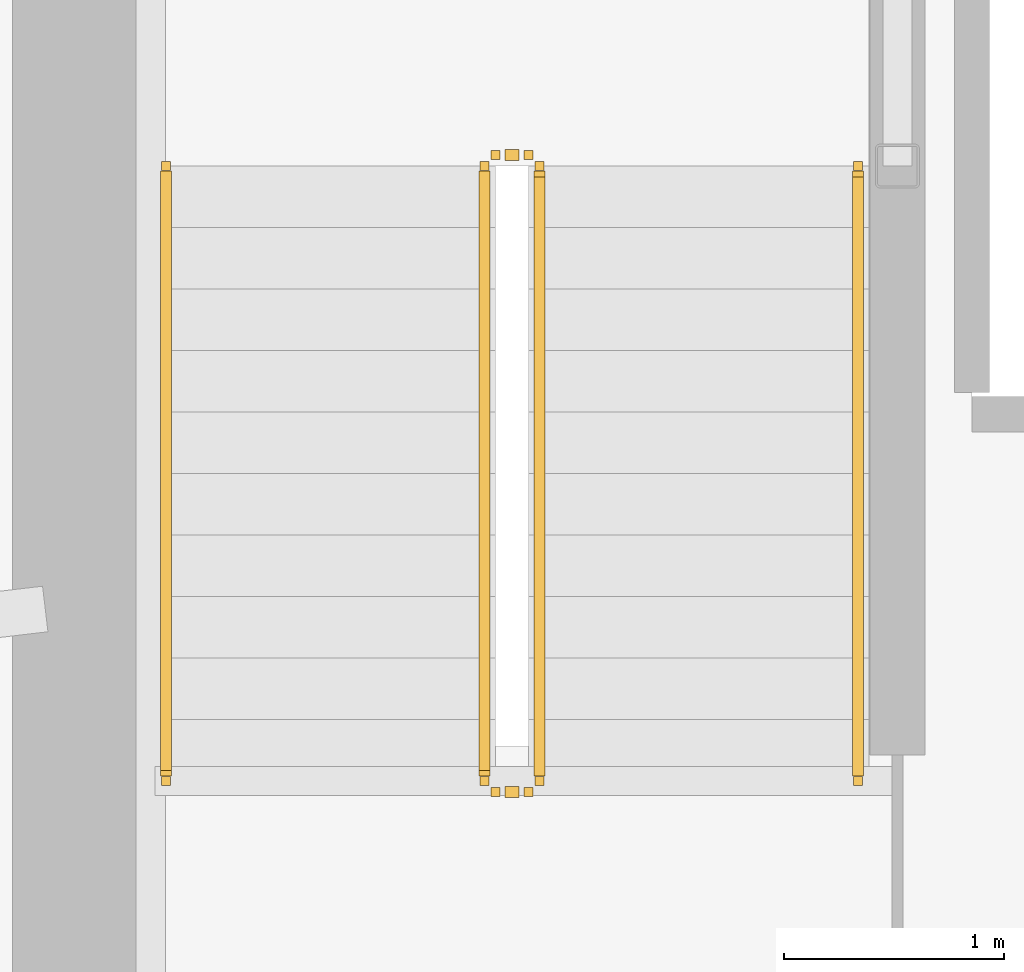
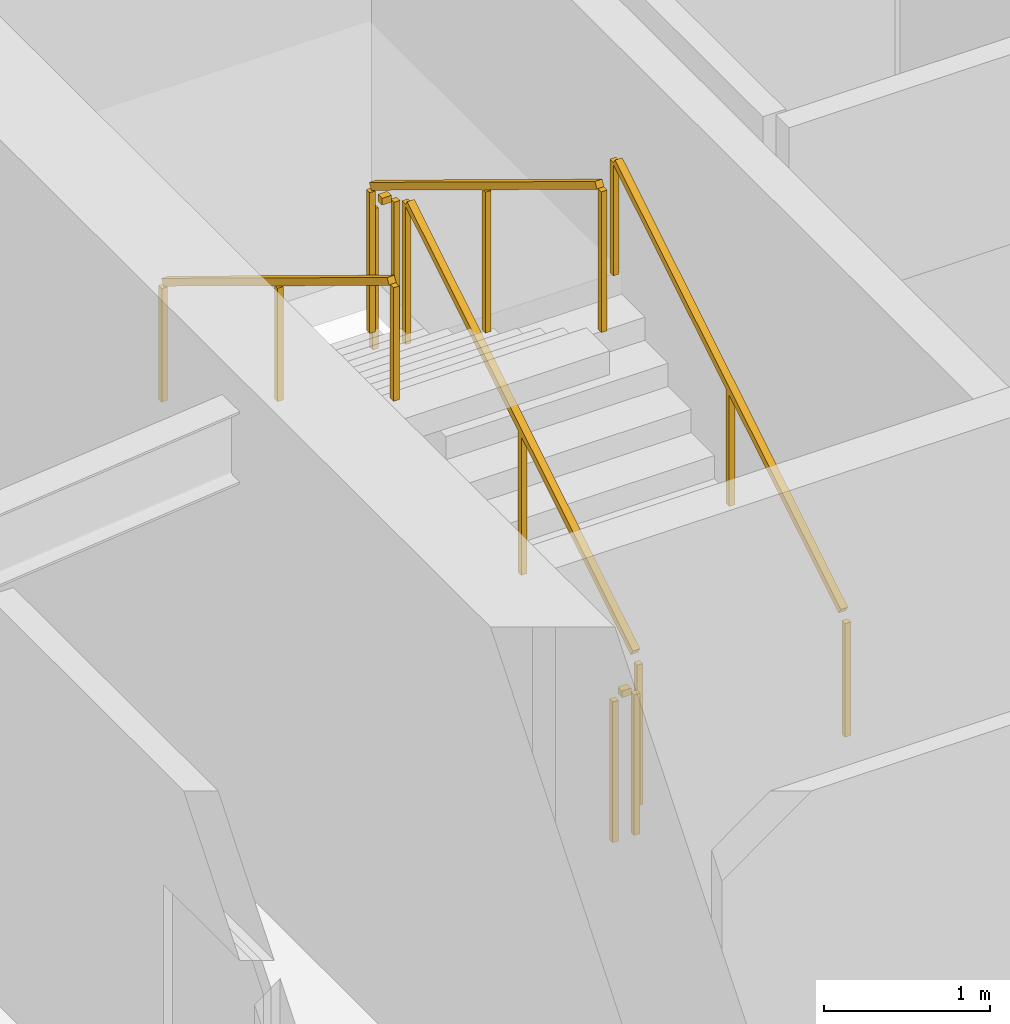
# One storey, part 17 of 20: 6 railings.
"""IFC4 building model written with IfcOpenShell, lengths in metres."""

from ifc_helpers import new_model, si_unit, direction, frame, origin, origin_2d, place, context, subcontext, project, spatial, rectangle, extrude, material, type_object, element, save


model = new_model("IFC4")

# Units and contexts
model_context = context("Model", 3, precision=1e-05, world=origin(), true_north=direction((0.0, 1.0)))
body_context = subcontext(model_context, "Body", "Model", "MODEL_VIEW")
ifc_project = project(units=[si_unit("LENGTHUNIT", "METRE"), si_unit("AREAUNIT", "SQUARE_METRE"), si_unit("VOLUMEUNIT", "CUBIC_METRE"), si_unit("PLANEANGLEUNIT", "RADIAN"), si_unit("MASSUNIT", "GRAM", prefix="KILO")], contexts=[model_context])

# Site, building, storey
site_placement = place(None, origin())
site = spatial("IfcSite", under=ifc_project, at=site_placement, CompositionType="ELEMENT")
building_placement = place(site_placement, origin())
building = spatial("IfcBuilding", under=site, at=building_placement, Name="Kazma Halo Residences", CompositionType="ELEMENT")
storey_placement = place(building_placement, frame((0.0, 0.0, 206.550048828125)))
storey = spatial("IfcBuildingStorey", under=building, at=storey_placement, Name="L52", CompositionType="ELEMENT", Elevation=206.550048828125)

# Railings
ifc_material_1 = material(Name="Painted Steel S355", Category="steel")
railing_type_1 = type_object("IfcRailingType", Name="RLG-STAIR-GRD-1100", PredefinedType="GUARDRAIL", material=ifc_material_1)
railing_1_placement = place(storey_placement, frame((39.550048828125, 39.949951171875, 0.17041015625)))
element("IfcRailing", 1, at=railing_1_placement, inside=storey, type_object=railing_type_1, Name="L52 ST-01 stair guard 1", PredefinedType="GUARDRAIL", context=body_context, shape_type="SweptSolid", body=[
    extrude(rectangle(XDim=0.050048828125, YDim=0.050048828125, at=origin_2d()), frame((0.0, 0.036376953125, 1.09716796875), z_axis=(0.0, 0.854169791009, 0.51999420009), x_axis=(-1.0, 0.0, 0.0)), (0.0, 0.0, 1.0), 3.193115234375),
    extrude(rectangle(XDim=0.0400390625, YDim=0.0400390625, at=origin_2d()), origin(), (0.0, 0.0, 1.0), 1.0380859375),
    extrude(rectangle(XDim=0.0400390625, YDim=0.0400390625, at=origin_2d()), frame((0.0, 1.39990234375, 0.852294921875)), (0.0, 0.0, 1.0), 1.0380859375),
    extrude(rectangle(XDim=0.0400390625, YDim=0.0400390625, at=origin_2d()), frame((0.0, 2.800048828125, 1.70458984375)), (0.0, 0.0, 1.0), 1.0380859375),
])
railing_2_placement = place(storey_placement, frame((39.5, 42.800048828125, 1.875)))
element("IfcRailing", 2, at=railing_2_placement, inside=storey, type_object=railing_type_1, Name="L52 ST-01 stair guard 2", PredefinedType="GUARDRAIL", context=body_context, shape_type="SweptSolid", body=[
    extrude(rectangle(XDim=0.050048828125, YDim=0.050048828125, at=origin_2d()), frame((-0.04248046875, 0.0, 1.0751953125), z_axis=(-1.0, 0.0, 0.0), x_axis=(0.0, -1.0, 0.0)), (0.0, 0.0, 1.0), 0.06494140625),
    extrude(rectangle(XDim=0.0400390625, YDim=0.0400390625, at=origin_2d()), origin(), (0.0, 0.0, 1.0), 1.0380859375),
    extrude(rectangle(XDim=0.0400390625, YDim=0.0400390625, at=origin_2d()), frame((-0.14990234375, 0.0, 0.0)), (0.0, 0.0, 1.0), 1.0380859375),
])
railing_3_placement = place(storey_placement, frame((39.300048828125, 42.75, 2.04541015625)))
element("IfcRailing", 3, at=railing_3_placement, inside=storey, type_object=railing_type_1, Name="L52 ST-01 stair guard 3", PredefinedType="GUARDRAIL", context=body_context, shape_type="SweptSolid", body=[
    extrude(rectangle(XDim=0.050048828125, YDim=0.050048828125, at=origin_2d()), frame((0.0, -0.036376953125, 1.09716796875), z_axis=(0.0, -0.854169791009, 0.51999420009), x_axis=(1.0, 0.0, 0.0)), (0.0, 0.0, 1.0), 3.193115234375),
    extrude(rectangle(XDim=0.0400390625, YDim=0.0400390625, at=origin_2d()), origin(), (0.0, 0.0, 1.0), 1.0380859375),
    extrude(rectangle(XDim=0.0400390625, YDim=0.0400390625, at=origin_2d()), frame((0.0, -1.39990234375, 0.852294921875)), (0.0, 0.0, 1.0), 1.0380859375),
    extrude(rectangle(XDim=0.0400390625, YDim=0.0400390625, at=origin_2d()), frame((0.0, -2.800048828125, 1.70458984375)), (0.0, 0.0, 1.0), 1.0380859375),
])
railing_4_placement = place(storey_placement, frame((39.5, 39.89990234375, 0.0)))
element("IfcRailing", 4, at=railing_4_placement, inside=storey, type_object=railing_type_1, Name="L52 ST-01 stair guard 4", PredefinedType="GUARDRAIL", context=body_context, shape_type="SweptSolid", body=[
    extrude(rectangle(XDim=0.050048828125, YDim=0.050048828125, at=origin_2d()), frame((-0.04248046875, 0.0, 1.0751953125), z_axis=(-1.0, 0.0, 0.0), x_axis=(0.0, -1.0, 0.0)), (0.0, 0.0, 1.0), 0.06494140625),
    extrude(rectangle(XDim=0.0400390625, YDim=0.0400390625, at=origin_2d()), origin(), (0.0, 0.0, 1.0), 1.0380859375),
    extrude(rectangle(XDim=0.0400390625, YDim=0.0400390625, at=origin_2d()), frame((-0.14990234375, 0.0, 0.0)), (0.0, 0.0, 1.0), 1.0380859375),
])
ifc_material_2 = material(Name="Brushed Stainless Steel", Category="steel")
railing_type_2 = type_object("IfcRailingType", Name="RLG-STAIR-HND-900", PredefinedType="HANDRAIL", material=ifc_material_2)
railing_5_placement = place(storey_placement, frame((41.0, 39.949951171875, 0.17041015625)))
element("IfcRailing", 5, at=railing_5_placement, inside=storey, type_object=railing_type_2, Name="L52 ST-01 stair handrail 1", PredefinedType="HANDRAIL", context=body_context, shape_type="SweptSolid", body=[
    extrude(rectangle(XDim=0.050048828125, YDim=0.050048828125, at=origin_2d()), frame((0.0, 0.036376953125, 0.89697265625), z_axis=(0.0, 0.854169791009, 0.51999420009), x_axis=(-1.0, 0.0, 0.0)), (0.0, 0.0, 1.0), 3.193115234375),
    extrude(rectangle(XDim=0.0400390625, YDim=0.0400390625, at=origin_2d()), origin(), (0.0, 0.0, 1.0), 0.837890625),
    extrude(rectangle(XDim=0.0400390625, YDim=0.0400390625, at=origin_2d()), frame((0.0, 1.39990234375, 0.852294921875)), (0.0, 0.0, 1.0), 0.837890625),
    extrude(rectangle(XDim=0.0400390625, YDim=0.0400390625, at=origin_2d()), frame((0.0, 2.800048828125, 1.70458984375)), (0.0, 0.0, 1.0), 0.837890625),
])
railing_6_placement = place(storey_placement, frame((37.85009765625, 42.75, 2.04541015625)))
element("IfcRailing", 6, at=railing_6_placement, inside=storey, type_object=railing_type_2, Name="L52 ST-01 stair handrail 2", PredefinedType="HANDRAIL", context=body_context, shape_type="SweptSolid", body=[
    extrude(rectangle(XDim=0.050048828125, YDim=0.050048828125, at=origin_2d()), frame((0.0, -0.036376953125, 0.89697265625), z_axis=(0.0, -0.854169791009, 0.51999420009), x_axis=(1.0, 0.0, 0.0)), (0.0, 0.0, 1.0), 3.193115234375),
    extrude(rectangle(XDim=0.0400390625, YDim=0.0400390625, at=origin_2d()), origin(), (0.0, 0.0, 1.0), 0.837890625),
    extrude(rectangle(XDim=0.0400390625, YDim=0.0400390625, at=origin_2d()), frame((0.0, -1.39990234375, 0.852294921875)), (0.0, 0.0, 1.0), 0.837890625),
    extrude(rectangle(XDim=0.0400390625, YDim=0.0400390625, at=origin_2d()), frame((0.0, -2.800048828125, 1.70458984375)), (0.0, 0.0, 1.0), 0.837890625),
])

save(model, "model.ifc")
